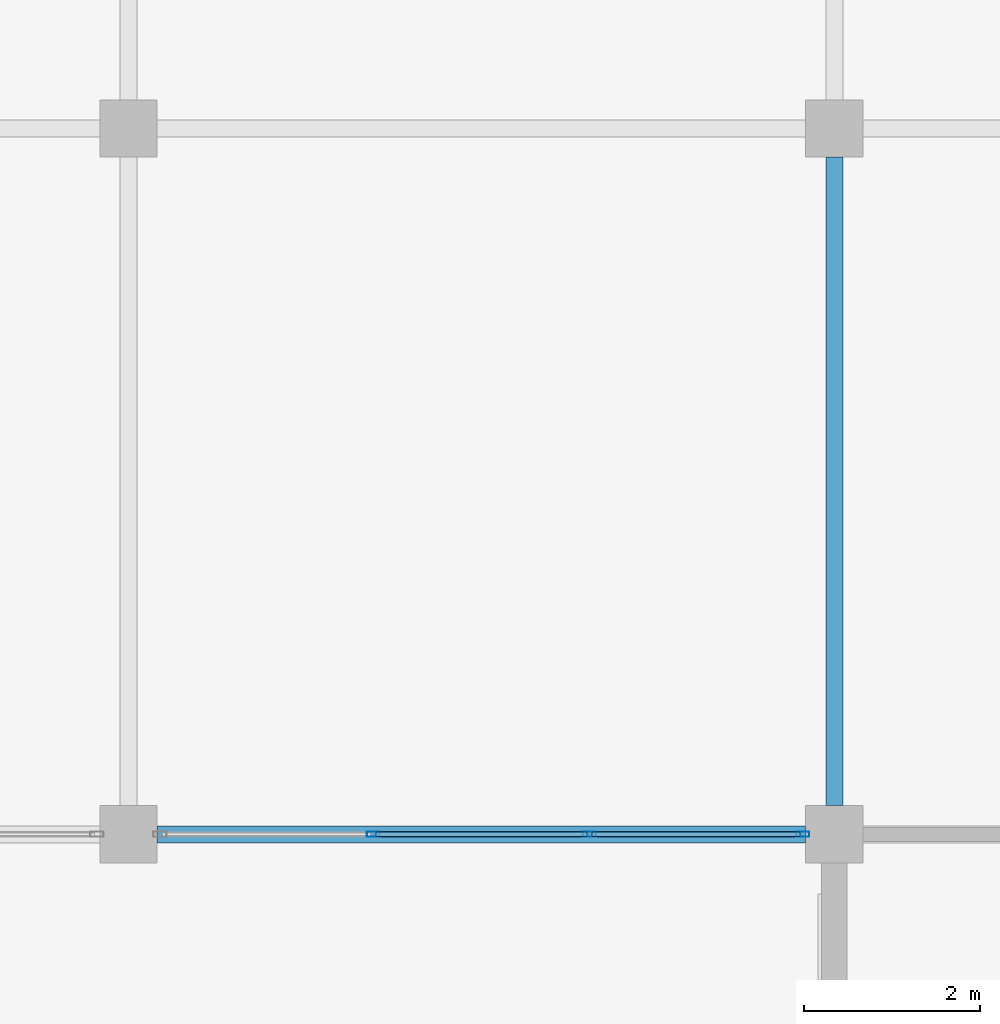
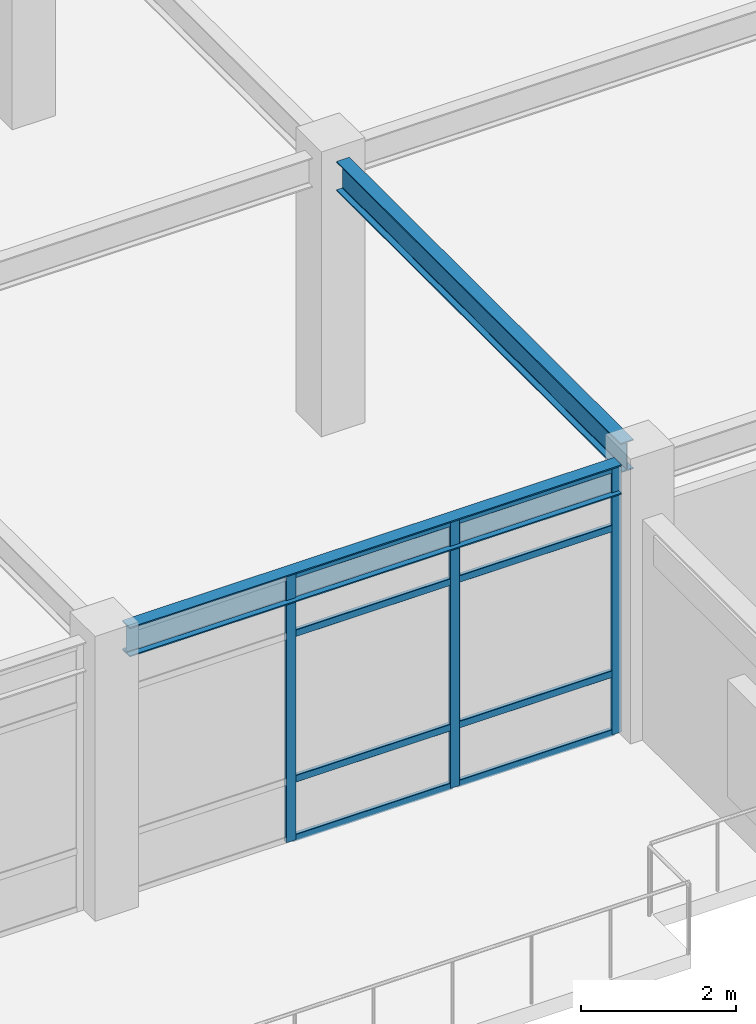
# One storey, part 46 of 78: 11 members, 2 beams, 1 element without a shape of its own.
"""IFC4 building model written with IfcOpenShell, lengths in metres."""

from ifc_helpers import new_model, si_unit, direction, frame, origin, origin_2d, place, context, subcontext, project, spatial, hollow_rectangle, i_section, extrude, material, material_profile, profile_set, type_object, element, aggregate, save


model = new_model("IFC4")

# Units and contexts
model_context = context("Model", 3, precision=1e-05, world=origin(), true_north=direction((0.0, 1.0)))
body_context = subcontext(model_context, "Body", "Model", "MODEL_VIEW")
ifc_project = project(units=[si_unit("LENGTHUNIT", "METRE"), si_unit("AREAUNIT", "SQUARE_METRE"), si_unit("VOLUMEUNIT", "CUBIC_METRE"), si_unit("PLANEANGLEUNIT", "RADIAN"), si_unit("MASSUNIT", "GRAM", prefix="KILO")], contexts=[model_context])

# Site, building, storey
site_placement = place(None, origin())
site = spatial("IfcSite", under=ifc_project, at=site_placement, CompositionType="ELEMENT")
building_placement = place(site_placement, origin())
building = spatial("IfcBuilding", under=site, at=building_placement, Name="Solmirada Galleria", CompositionType="ELEMENT")
storey_placement = place(building_placement, frame((0.0, 0.0, 23.89990234375)))
storey = spatial("IfcBuildingStorey", under=building, at=storey_placement, Name="L05", CompositionType="ELEMENT", Elevation=23.89990234375)

# Beams
ifc_material_1 = material(Name="Steel S355 / ASTM A992 Grade 50", Category="steel")
ifc_material_profile_1 = material_profile(ifc_material_1, i_section(OverallWidth=0.193115234375, OverallDepth=0.466064453125, WebThickness=0.011474609375, FlangeThickness=0.01904296875, FilletRadius=0.013916015625, at=origin_2d()), Name="W18X65")
ifc_profile_set_1 = profile_set([ifc_material_profile_1], Name="Steel S355 / ASTM A992 Grade 50")
beam_type = type_object("IfcBeamType", Name="BM-GIRD-W18C", PredefinedType="BEAM", material=ifc_profile_set_1)
for number, where, z_axis, x_axis, name in (
    (1, (80.324951171875, 96.0, 4.0400390625), (1.0, 0.0, 0.0), (0.0, 1.0, 0.0), "North roof girder X=80..88"),
    (2, (88.0, 96.324951171875, 4.0400390625), (0.0, 1.0, 0.0), (-1.0, 0.0, 0.0), "North roof girder Y=96..104"),
):
    element("IfcBeam", number, at=place(storey_placement, frame(where, z_axis=z_axis, x_axis=x_axis)), inside=storey, type_object=beam_type, Name=name, PredefinedType="BEAM", context=body_context, shape_type="SweptSolid", body=[
        extrude(i_section(OverallWidth=0.193115234375, OverallDepth=0.466064453125, WebThickness=0.011474609375, FlangeThickness=0.01904296875, FilletRadius=0.013916015625, at=origin_2d()), origin(), (0.0, 0.0, 1.0), 7.35009765625),
    ])

# Curtain wall, members
ifc_material_2 = material(Name="Impact-resistant low-E double glazing", Category="glass")
curtain_wall_type = type_object("IfcCurtainWallType", Name="CW-FZ4-L05-B3-L074", PredefinedType="NOTDEFINED", material=ifc_material_2)
curtain_wall_placement = place(storey_placement, origin())
curtain_wall = element("IfcCurtainWall", 3, at=curtain_wall_placement, inside=storey, type_object=curtain_wall_type, Name="Terrace and arcade storefront CW-L05-168", PredefinedType="NOTDEFINED")
ifc_material_3 = material(Name="Anodised aluminium framing", Category="aluminium")
ifc_material_profile_2 = material_profile(ifc_material_3, hollow_rectangle(XDim=0.06005859375, YDim=0.14990234375, WallThickness=0.00341796875, InnerFilletRadius=0.00341796875, OuterFilletRadius=0.007080078125, at=origin_2d()), Name="ALU-MULL-150X60")
ifc_profile_set_2 = profile_set([ifc_material_profile_2], Name="Anodised aluminium framing")
member_type_1 = type_object("IfcMemberType", Name="CW-MULL-150", PredefinedType="MULLION", material=ifc_profile_set_2)
member_1_placement = place(storey_placement, frame((87.64306640625, 96.0, 0.0), z_axis=(0.0, 0.0, 1.0), x_axis=(0.0, -1.0, 0.0)))
member_1 = element("IfcMember", 4, at=member_1_placement, type_object=member_type_1, Name="CW34 mullion 1", PredefinedType="MULLION", context=body_context, shape_type="SweptSolid", body=[
    extrude(hollow_rectangle(XDim=0.06005859375, YDim=0.14990234375, WallThickness=0.00341796875, InnerFilletRadius=0.00341796875, OuterFilletRadius=0.007080078125, at=origin_2d()), origin(), (0.0, 0.0, 1.0), 4.22021484375),
])
member_2_placement = place(storey_placement, frame((85.224365234375, 96.0, 0.0), z_axis=(0.0, 0.0, 1.0), x_axis=(0.0, -1.0, 0.0)))
member_2 = element("IfcMember", 5, at=member_2_placement, type_object=member_type_1, Name="CW34 mullion 2", PredefinedType="MULLION", context=body_context, shape_type="SweptSolid", body=[
    extrude(hollow_rectangle(XDim=0.06005859375, YDim=0.14990234375, WallThickness=0.00341796875, InnerFilletRadius=0.00341796875, OuterFilletRadius=0.007080078125, at=origin_2d()), origin(), (0.0, 0.0, 1.0), 4.22021484375),
])
member_3_placement = place(storey_placement, frame((82.775634765625, 96.0, 0.0), z_axis=(0.0, 0.0, 1.0), x_axis=(0.0, -1.0, 0.0)))
member_3 = element("IfcMember", 6, at=member_3_placement, type_object=member_type_1, Name="CW34 mullion 3", PredefinedType="MULLION", context=body_context, shape_type="SweptSolid", body=[
    extrude(hollow_rectangle(XDim=0.06005859375, YDim=0.14990234375, WallThickness=0.00341796875, InnerFilletRadius=0.00341796875, OuterFilletRadius=0.007080078125, at=origin_2d()), origin(), (0.0, 0.0, 1.0), 4.22021484375),
])
ifc_material_profile_3 = material_profile(ifc_material_3, hollow_rectangle(XDim=0.06005859375, YDim=0.110107421875, WallThickness=0.003173828125, InnerFilletRadius=0.003173828125, OuterFilletRadius=0.00634765625, at=origin_2d()), Name="ALU-TRAN-110X60")
ifc_profile_set_3 = profile_set([ifc_material_profile_3], Name="Anodised aluminium framing")
member_type_2 = type_object("IfcMemberType", Name="CW-TRAN-110", PredefinedType="USERDEFINED", material=ifc_profile_set_3)
member_4_placement = place(storey_placement, frame((87.613037109375, 96.0, 0.030029296875), z_axis=(-1.0, 0.0, 0.0), x_axis=(0.0, -1.0, 0.0)))
member_4 = element("IfcMember", 7, at=member_4_placement, type_object=member_type_2, Name="CW34 transom 1.1", ObjectType="TRANSOM", PredefinedType="USERDEFINED", context=body_context, shape_type="SweptSolid", body=[
    extrude(hollow_rectangle(XDim=0.06005859375, YDim=0.110107421875, WallThickness=0.003173828125, InnerFilletRadius=0.003173828125, OuterFilletRadius=0.00634765625, at=origin_2d()), origin(), (0.0, 0.0, 1.0), 2.358642578125),
])
member_5_placement = place(storey_placement, frame((87.613037109375, 96.0, 0.960205078125), z_axis=(-1.0, 0.0, 0.0), x_axis=(0.0, -1.0, 0.0)))
member_5 = element("IfcMember", 8, at=member_5_placement, type_object=member_type_2, Name="CW34 transom 1.2", ObjectType="TRANSOM", PredefinedType="USERDEFINED", context=body_context, shape_type="SweptSolid", body=[
    extrude(hollow_rectangle(XDim=0.06005859375, YDim=0.110107421875, WallThickness=0.003173828125, InnerFilletRadius=0.003173828125, OuterFilletRadius=0.00634765625, at=origin_2d()), origin(), (0.0, 0.0, 1.0), 2.358642578125),
])
member_6_placement = place(storey_placement, frame((87.613037109375, 96.0, 3.260009765625), z_axis=(-1.0, 0.0, 0.0), x_axis=(0.0, -1.0, 0.0)))
member_6 = element("IfcMember", 9, at=member_6_placement, type_object=member_type_2, Name="CW34 transom 1.3", ObjectType="TRANSOM", PredefinedType="USERDEFINED", context=body_context, shape_type="SweptSolid", body=[
    extrude(hollow_rectangle(XDim=0.06005859375, YDim=0.110107421875, WallThickness=0.003173828125, InnerFilletRadius=0.003173828125, OuterFilletRadius=0.00634765625, at=origin_2d()), origin(), (0.0, 0.0, 1.0), 2.358642578125),
])
member_7_placement = place(storey_placement, frame((87.613037109375, 96.0, 4.190185546875), z_axis=(-1.0, 0.0, 0.0), x_axis=(0.0, -1.0, 0.0)))
member_7 = element("IfcMember", 10, at=member_7_placement, type_object=member_type_2, Name="CW34 transom 1.4", ObjectType="TRANSOM", PredefinedType="USERDEFINED", context=body_context, shape_type="SweptSolid", body=[
    extrude(hollow_rectangle(XDim=0.06005859375, YDim=0.110107421875, WallThickness=0.003173828125, InnerFilletRadius=0.003173828125, OuterFilletRadius=0.00634765625, at=origin_2d()), origin(), (0.0, 0.0, 1.0), 2.358642578125),
])
member_8_placement = place(storey_placement, frame((85.1943359375, 96.0, 0.030029296875), z_axis=(-1.0, 0.0, 0.0), x_axis=(0.0, -1.0, 0.0)))
member_8 = element("IfcMember", 11, at=member_8_placement, type_object=member_type_2, Name="CW34 transom 2.1", ObjectType="TRANSOM", PredefinedType="USERDEFINED", context=body_context, shape_type="SweptSolid", body=[
    extrude(hollow_rectangle(XDim=0.06005859375, YDim=0.110107421875, WallThickness=0.003173828125, InnerFilletRadius=0.003173828125, OuterFilletRadius=0.00634765625, at=origin_2d()), origin(), (0.0, 0.0, 1.0), 2.388671875),
])
member_9_placement = place(storey_placement, frame((85.1943359375, 96.0, 0.960205078125), z_axis=(-1.0, 0.0, 0.0), x_axis=(0.0, -1.0, 0.0)))
member_9 = element("IfcMember", 12, at=member_9_placement, type_object=member_type_2, Name="CW34 transom 2.2", ObjectType="TRANSOM", PredefinedType="USERDEFINED", context=body_context, shape_type="SweptSolid", body=[
    extrude(hollow_rectangle(XDim=0.06005859375, YDim=0.110107421875, WallThickness=0.003173828125, InnerFilletRadius=0.003173828125, OuterFilletRadius=0.00634765625, at=origin_2d()), origin(), (0.0, 0.0, 1.0), 2.388671875),
])
member_10_placement = place(storey_placement, frame((85.1943359375, 96.0, 3.260009765625), z_axis=(-1.0, 0.0, 0.0), x_axis=(0.0, -1.0, 0.0)))
member_10 = element("IfcMember", 13, at=member_10_placement, type_object=member_type_2, Name="CW34 transom 2.3", ObjectType="TRANSOM", PredefinedType="USERDEFINED", context=body_context, shape_type="SweptSolid", body=[
    extrude(hollow_rectangle(XDim=0.06005859375, YDim=0.110107421875, WallThickness=0.003173828125, InnerFilletRadius=0.003173828125, OuterFilletRadius=0.00634765625, at=origin_2d()), origin(), (0.0, 0.0, 1.0), 2.388671875),
])
member_11_placement = place(storey_placement, frame((85.1943359375, 96.0, 4.190185546875), z_axis=(-1.0, 0.0, 0.0), x_axis=(0.0, -1.0, 0.0)))
member_11 = element("IfcMember", 14, at=member_11_placement, type_object=member_type_2, Name="CW34 transom 2.4", ObjectType="TRANSOM", PredefinedType="USERDEFINED", context=body_context, shape_type="SweptSolid", body=[
    extrude(hollow_rectangle(XDim=0.06005859375, YDim=0.110107421875, WallThickness=0.003173828125, InnerFilletRadius=0.003173828125, OuterFilletRadius=0.00634765625, at=origin_2d()), origin(), (0.0, 0.0, 1.0), 2.388671875),
])
aggregate(curtain_wall, [member_1, member_2, member_3, member_4, member_5, member_6, member_7, member_8, member_9, member_10, member_11])

save(model, "model.ifc")
